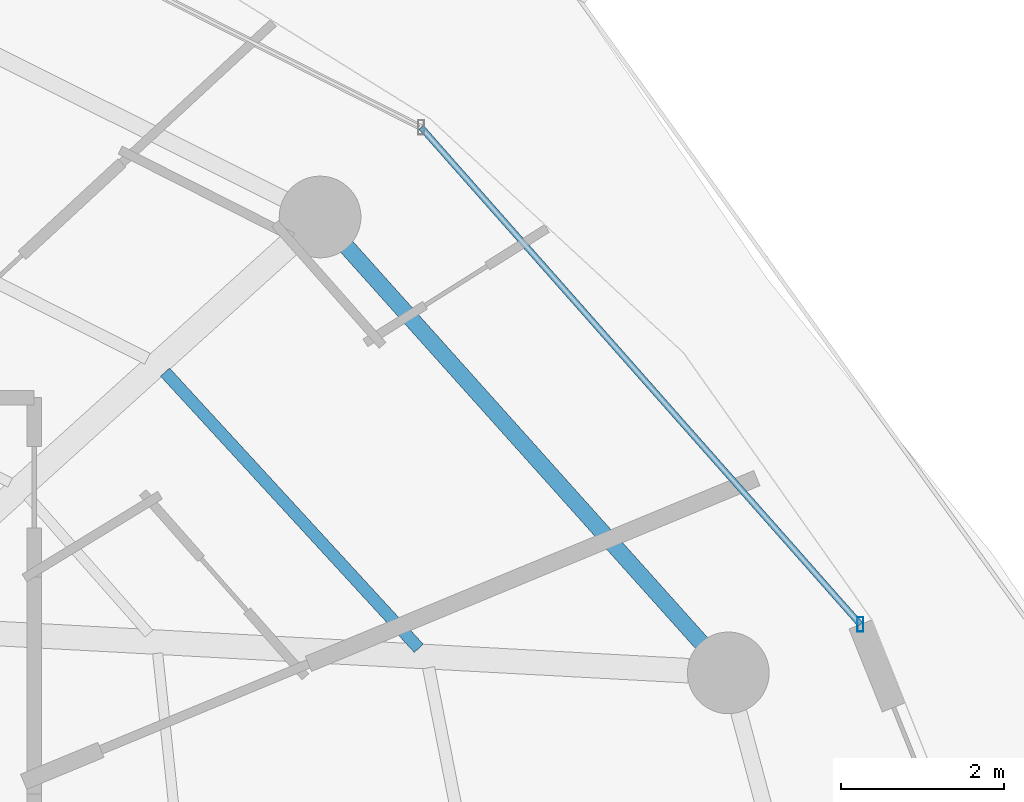
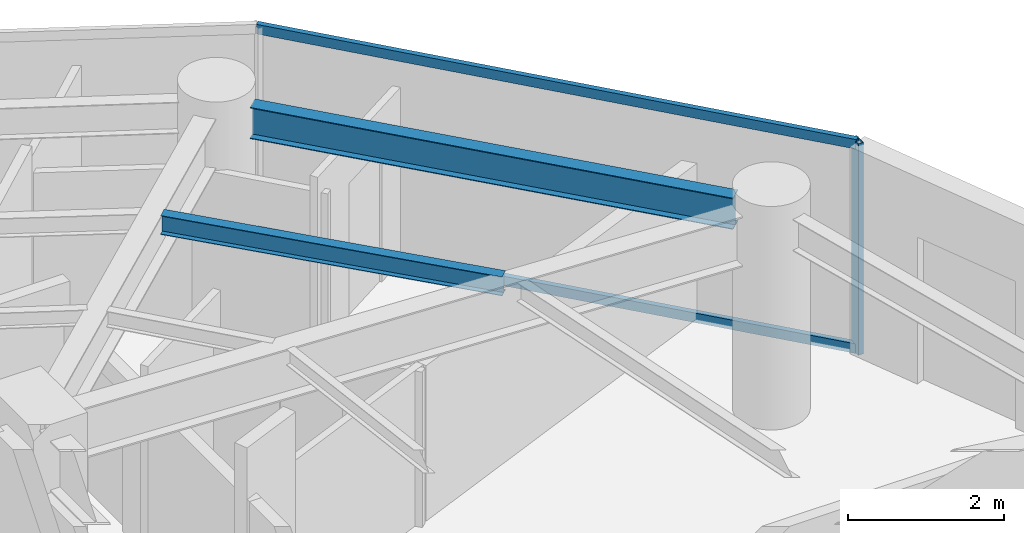
# One storey, part 13 of 28: 3 members, 2 beams, 1 element without a shape of its own.
"""IFC4 building model written with IfcOpenShell, lengths in metres."""

from ifc_helpers import new_model, si_unit, direction, frame, origin, origin_2d, place, context, subcontext, project, spatial, hollow_rectangle, i_section, extrude, material, material_profile, profile_set, type_object, element, aggregate, save


model = new_model("IFC4")

# Units and contexts
model_context = context("Model", 3, precision=1e-05, world=origin(), true_north=direction((0.0, 1.0)))
body_context = subcontext(model_context, "Body", "Model", "MODEL_VIEW")
ifc_project = project(units=[si_unit("LENGTHUNIT", "METRE"), si_unit("AREAUNIT", "SQUARE_METRE"), si_unit("VOLUMEUNIT", "CUBIC_METRE"), si_unit("PLANEANGLEUNIT", "RADIAN"), si_unit("MASSUNIT", "GRAM", prefix="KILO")], contexts=[model_context])

# Site, building, storey
site_placement = place(None, origin())
site = spatial("IfcSite", under=ifc_project, at=site_placement, CompositionType="ELEMENT")
building_placement = place(site_placement, origin())
building = spatial("IfcBuilding", under=site, at=building_placement, Name="Vorneva Point Tower", CompositionType="ELEMENT")
storey_placement = place(building_placement, frame((0.0, 0.0, 143.10009765625)))
storey = spatial("IfcBuildingStorey", under=building, at=storey_placement, Name="L38", CompositionType="ELEMENT", Elevation=143.10009765625)

# Beams
ifc_material_1 = material(Name="Steel S355", Category="steel")
ifc_material_profile_1 = material_profile(ifc_material_1, i_section(OverallWidth=0.14892578125, OverallDepth=0.298095703125, WebThickness=0.005615234375, FlangeThickness=0.008056640625, at=origin_2d()), Name="30B1")
ifc_profile_set_1 = profile_set([ifc_material_profile_1], Name="Steel S355")
beam_type_1 = type_object("IfcBeamType", Name="BM-JST-30B1", PredefinedType="JOIST", material=ifc_profile_set_1)
beam_1_placement = place(storey_placement, frame((55.507568359375, 32.8828125, 3.0908203125), z_axis=(-0.676639317831, 0.736314629465, 0.0), x_axis=(-0.736314629465, -0.676639317831, 0.0)))
element("IfcBeam", 1, at=beam_1_placement, inside=storey, type_object=beam_type_1, Name="L38 Secondary Floor Beam 1.02", PredefinedType="JOIST", context=body_context, shape_type="SweptSolid", body=[
    extrude(i_section(OverallWidth=0.14892578125, OverallDepth=0.298095703125, WebThickness=0.005615234375, FlangeThickness=0.008056640625, at=origin_2d()), origin(), (0.0, 0.0, 1.0), 4.59033203125),
])
ifc_material_profile_2 = material_profile(ifc_material_1, i_section(OverallWidth=0.199951171875, OverallDepth=0.491943359375, WebThickness=0.0087890625, FlangeThickness=0.011962890625, at=origin_2d()), Name="50B1")
ifc_profile_set_2 = profile_set([ifc_material_profile_2], Name="Steel S355")
beam_type_2 = type_object("IfcBeamType", Name="BM-SPN-50B1", PredefinedType="SPANDREL", material=ifc_profile_set_2)
beam_2_placement = place(storey_placement, frame((58.971923828125, 32.943603515625, 2.993896484375), z_axis=(-0.667111118975, 0.74495822362, 0.0), x_axis=(-0.74495822362, -0.667111118975, 0.0)))
element("IfcBeam", 2, at=beam_2_placement, inside=storey, type_object=beam_type_2, Name="L38 Perimeter Spandrel Ring Beam 02", PredefinedType="SPANDREL", context=body_context, shape_type="SweptSolid", body=[
    extrude(i_section(OverallWidth=0.199951171875, OverallDepth=0.491943359375, WebThickness=0.0087890625, FlangeThickness=0.011962890625, at=origin_2d()), origin(), (0.0, 0.0, 1.0), 6.52001953125),
])

# Curtain wall, members
ifc_material_2 = material(Name="Pale anodised aluminium", Category="aluminium")
curtain_wall_type = type_object("IfcCurtainWallType", Name="CW-RES-SYS", PredefinedType="NOTDEFINED", material=ifc_material_2)
curtain_wall_placement = place(storey_placement, origin())
curtain_wall = element("IfcCurtainWall", 3, at=curtain_wall_placement, inside=storey, type_object=curtain_wall_type, Name="L38 Unitised Curtain Wall CW-L38-R01", PredefinedType="NOTDEFINED")
ifc_material_profile_3 = material_profile(ifc_material_2, hollow_rectangle(XDim=0.074951171875, YDim=0.179931640625, WallThickness=0.00390625, at=origin_2d()), Name="AL-MUL 180x75x4")
ifc_profile_set_3 = profile_set([ifc_material_profile_3], Name="Pale anodised aluminium")
member_type_1 = type_object("IfcMemberType", Name="CW-MUL-180", PredefinedType="MULLION", material=ifc_profile_set_3)
member_1_placement = place(storey_placement, frame((60.912109375, 33.17529296875, -0.0400390625), z_axis=(0.0, 0.0, 1.0), x_axis=(1.0, 0.0, 0.0)))
member_1 = element("IfcMember", 4, at=member_1_placement, type_object=member_type_1, Name="CW-L38-R01 Mullion 01", PredefinedType="MULLION", context=body_context, shape_type="SweptSolid", body=[
    extrude(hollow_rectangle(XDim=0.074951171875, YDim=0.179931640625, WallThickness=0.00390625, at=origin_2d()), origin(), (0.0, 0.0, 1.0), 3.31005859375),
])
ifc_material_profile_4 = material_profile(ifc_material_2, hollow_rectangle(XDim=0.074951171875, YDim=0.14990234375, WallThickness=0.00390625, at=origin_2d()), Name="AL-TRN 150x75x4")
ifc_profile_set_4 = profile_set([ifc_material_profile_4], Name="Pale anodised aluminium")
member_type_2 = type_object("IfcMemberType", Name="CW-TRN-150", PredefinedType="USERDEFINED", material=ifc_profile_set_4)
member_2_placement = place(storey_placement, frame((60.912109375, 33.17529296875, 0.02001953125), z_axis=(-0.662218216609, 0.749311039283, 0.0), x_axis=(-0.749311039283, -0.662218216609, 0.0)))
member_2 = element("IfcMember", 5, at=member_2_placement, type_object=member_type_2, Name="CW-L38-R01 Transom 01.1", ObjectType="TRANSOM", PredefinedType="USERDEFINED", context=body_context, shape_type="SweptSolid", body=[
    extrude(hollow_rectangle(XDim=0.074951171875, YDim=0.14990234375, WallThickness=0.00390625, at=origin_2d()), origin(), (0.0, 0.0, 1.0), 8.1181640625),
])
member_3_placement = place(storey_placement, frame((60.912109375, 33.17529296875, 3.219970703125), z_axis=(-0.662218216609, 0.749311039283, 0.0), x_axis=(-0.749311039283, -0.662218216609, 0.0)))
member_3 = element("IfcMember", 6, at=member_3_placement, type_object=member_type_2, Name="CW-L38-R01 Transom 01.2", ObjectType="TRANSOM", PredefinedType="USERDEFINED", context=body_context, shape_type="SweptSolid", body=[
    extrude(hollow_rectangle(XDim=0.074951171875, YDim=0.14990234375, WallThickness=0.00390625, at=origin_2d()), origin(), (0.0, 0.0, 1.0), 8.1181640625),
])
aggregate(curtain_wall, [member_1, member_2, member_3])

save(model, "model.ifc")
